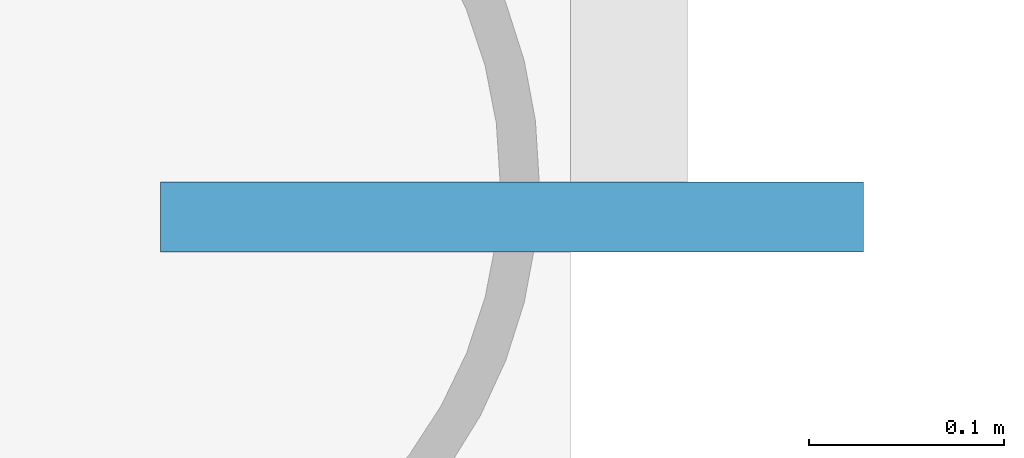
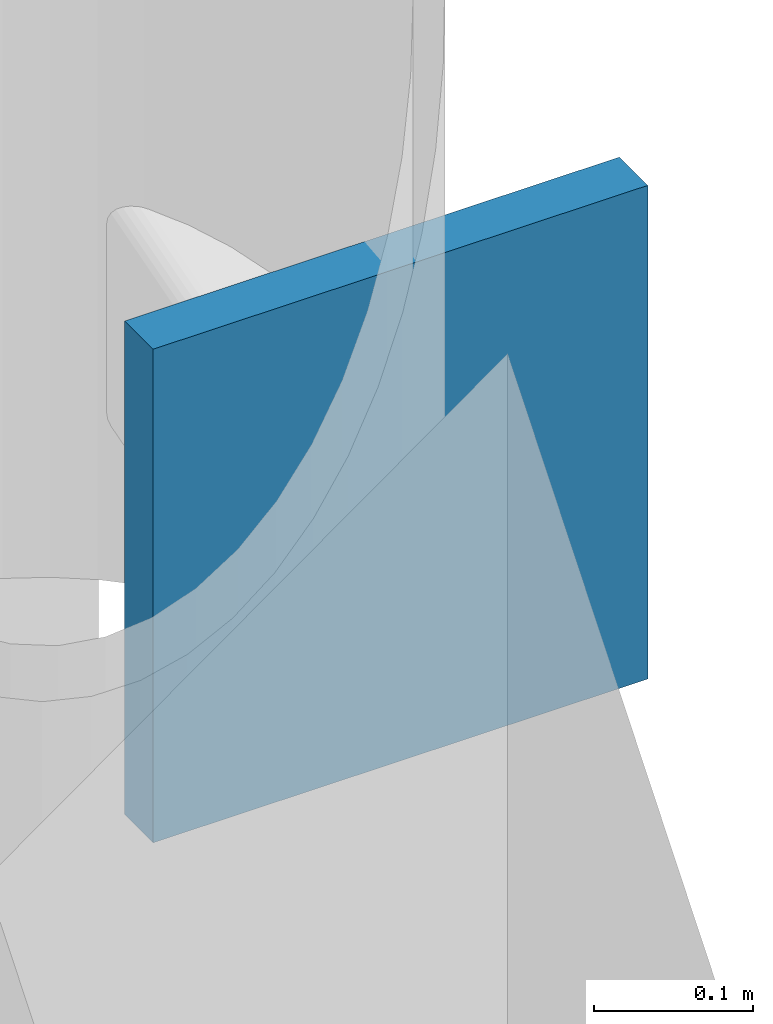
# One storey, part 101 of 117: 1 plate.
"""IFC4 building model written with IfcOpenShell, lengths in metres."""

from ifc_helpers import new_model, si_unit, direction, frame, origin, origin_2d, place, context, subcontext, project, spatial, rectangle, extrude, material, layer, layer_set, type_object, element, save


model = new_model("IFC4")

# Units and contexts
model_context = context("Model", 3, precision=1e-05, world=origin(), true_north=direction((0.0, 1.0)))
body_context = subcontext(model_context, "Body", "Model", "MODEL_VIEW")
ifc_project = project(units=[si_unit("LENGTHUNIT", "METRE"), si_unit("AREAUNIT", "SQUARE_METRE"), si_unit("VOLUMEUNIT", "CUBIC_METRE"), si_unit("PLANEANGLEUNIT", "RADIAN"), si_unit("MASSUNIT", "GRAM", prefix="KILO")], contexts=[model_context])

# Site, building, storey
site_placement = place(None, origin())
site = spatial("IfcSite", under=ifc_project, at=site_placement, CompositionType="ELEMENT")
building_placement = place(site_placement, origin())
building = spatial("IfcBuilding", under=site, at=building_placement, Name="Merenkruunu Market Hall", CompositionType="ELEMENT")
storey_placement = place(building_placement, frame((0.0, 0.0, 10.199951171875)))
storey = spatial("IfcBuildingStorey", under=building, at=storey_placement, Name="L02", CompositionType="ELEMENT", Elevation=10.199951171875)

# Plate
ifc_material = material(Name="Steel S355ML", Category="steel")
ifc_layer = layer(ifc_material, 0.035888671875)
ifc_layer_set = layer_set([ifc_layer], Name="Steel S355ML")
plate_type = type_object("IfcPlateType", Name="Truss Gusset Or Cap Plate CP08", PredefinedType="USERDEFINED", material=ifc_layer_set)
plate_placement = place(storey_placement, frame((0.239990234375, 87.58203125, -0.039794921875), z_axis=(0.0, 0.0, 1.0), x_axis=(1.0, 0.0, 0.0)))
element("IfcPlate", 1, at=plate_placement, inside=storey, type_object=plate_type, Name="PLT-CBF11-A", ObjectType="GUSSET_PLATE", PredefinedType="USERDEFINED", context=body_context, shape_type="SweptSolid", body=[
    extrude(rectangle(XDim=0.360107421875, YDim=0.035888671875, at=origin_2d()), origin(), (0.0, 0.0, 1.0), 0.3798828125),
])

save(model, "model.ifc")
